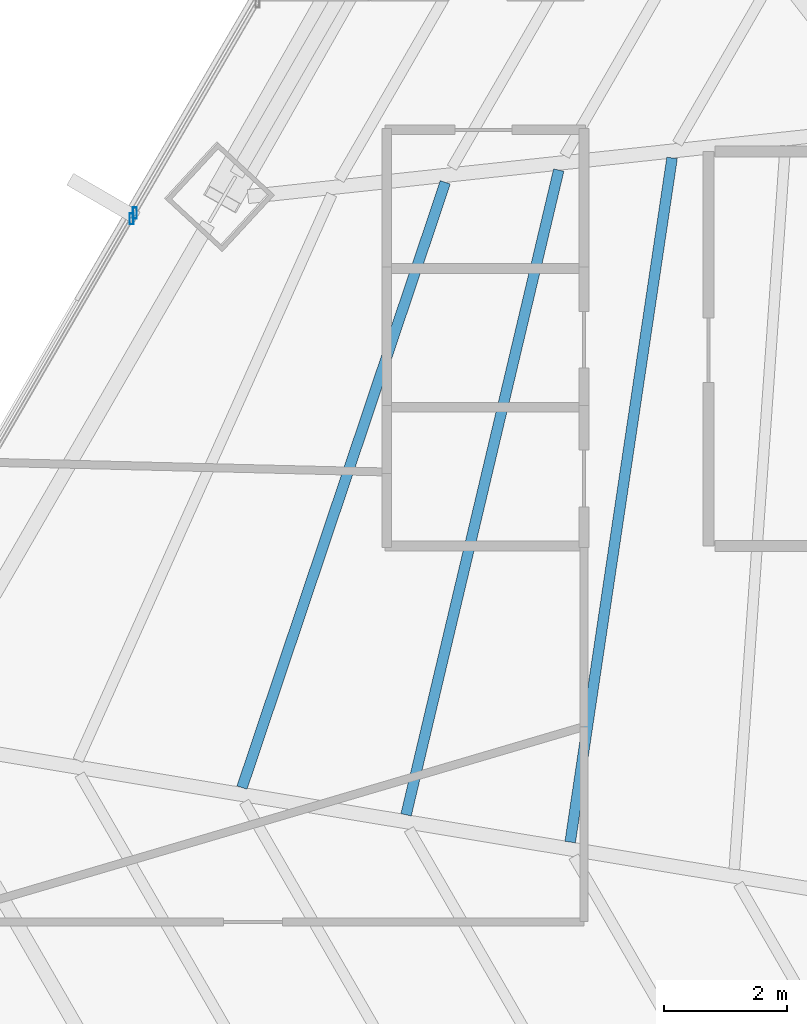
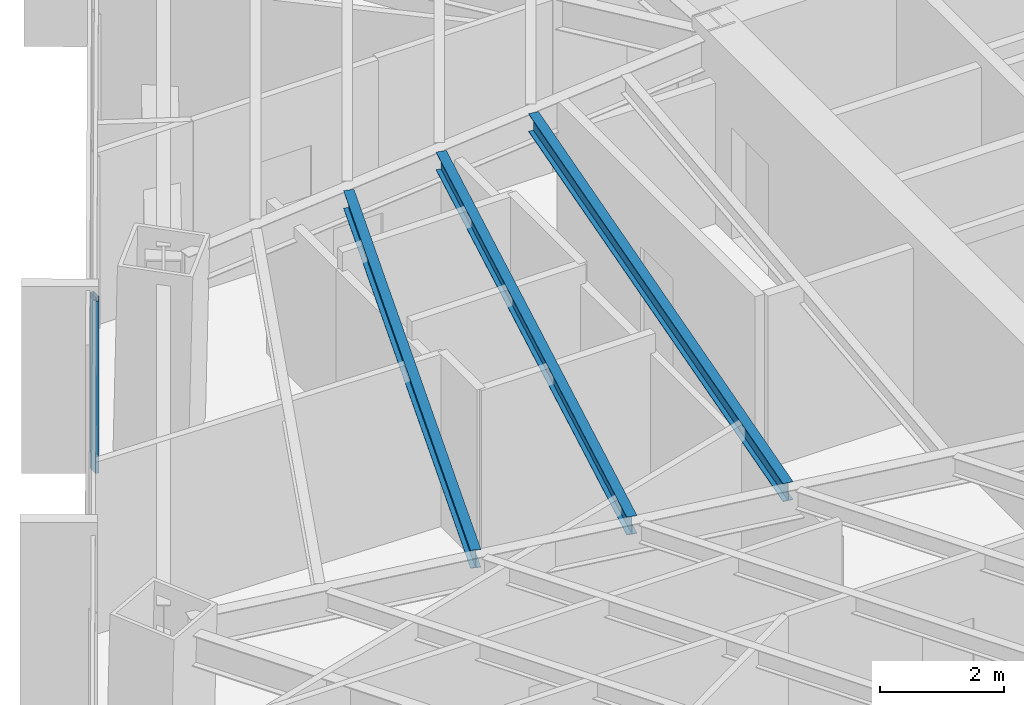
# One storey, part 12 of 36: 3 beams, 2 members, 2 elements without a shape of their own.
"""IFC4 building model written with IfcOpenShell, lengths in metres."""

from ifc_helpers import new_model, si_unit, direction, frame, origin, origin_2d, place, context, subcontext, project, spatial, hollow_rectangle, i_section, extrude, source, transform, mapped, material, material_profile, profile_set, type_object, type_shapes, element, aggregate, save


model = new_model("IFC4")

# Units and contexts
model_context = context("Model", 3, precision=1e-05, world=origin(), true_north=direction((0.0, 1.0)))
body_context = subcontext(model_context, "Body", "Model", "MODEL_VIEW")
ifc_project = project(units=[si_unit("LENGTHUNIT", "METRE"), si_unit("AREAUNIT", "SQUARE_METRE"), si_unit("VOLUMEUNIT", "CUBIC_METRE"), si_unit("PLANEANGLEUNIT", "RADIAN"), si_unit("MASSUNIT", "GRAM", prefix="KILO")], contexts=[model_context])

# Site, building, storey
site_placement = place(None, origin())
site = spatial("IfcSite", under=ifc_project, at=site_placement, CompositionType="ELEMENT")
building_placement = place(site_placement, origin())
building = spatial("IfcBuilding", under=site, at=building_placement, Name="Caelisora Broadcast Tower", CompositionType="ELEMENT")
storey_placement = place(building_placement, frame((0.0, 0.0, 64.10009765625)))
storey = spatial("IfcBuildingStorey", under=building, at=storey_placement, Name="L16", CompositionType="ELEMENT", Elevation=64.10009765625)

# Beams
ifc_material_1 = material(Name="Steel Grade 350 (AS/NZS 3679.1)", Category="steel")
ifc_material_profile_1 = material_profile(ifc_material_1, i_section(OverallWidth=0.172119140625, OverallDepth=0.358642578125, WebThickness=0.008056640625, FlangeThickness=0.012939453125, at=origin_2d()), Name="Steel Grade 350 (AS/NZS 3679.1)")
ifc_profile_set_1 = profile_set([ifc_material_profile_1], Name="Steel Grade 350 (AS/NZS 3679.1)")
beam_type = type_object("IfcBeamType", Name="SB02", PredefinedType="JOIST", material=ifc_profile_set_1)
shared_shape_1 = source(origin(), body_context, "Body", "SweptSolid", [
    extrude(i_section(OverallWidth=0.172119140625, OverallDepth=0.358642578125, WebThickness=0.008056640625, FlangeThickness=0.012939453125, at=origin_2d()), origin(), (0.0, 0.0, 1.0), 11.218994140625),
])
beam_1_placement = place(storey_placement, frame((26.8271484375, 29.493896484375, 3.220703125), z_axis=(-0.147301790975, -0.989091594533, 0.0), x_axis=(0.989091594533, -0.147301790975, 0.0)))
element("IfcBeam", 1, at=beam_1_placement, inside=storey, type_object=beam_type, Name="L16 beam SB02", PredefinedType="JOIST", context=body_context, shape_type="MappedRepresentation", body=[
    mapped(shared_shape_1, transform((0.0, 0.0, 0.0), scale=1.0)),
])
shared_shape_2 = source(origin(), body_context, "Body", "SweptSolid", [
    extrude(i_section(OverallWidth=0.172119140625, OverallDepth=0.358642578125, WebThickness=0.008056640625, FlangeThickness=0.012939453125, at=origin_2d()), origin(), (0.0, 0.0, 1.0), 10.74609375),
])
beam_2_placement = place(storey_placement, frame((24.989013671875, 29.29638671875, 3.220703125), z_axis=(-0.230414301579, -0.9730926213, 0.0), x_axis=(0.9730926213, -0.230414301579, 0.0)))
element("IfcBeam", 2, at=beam_2_placement, inside=storey, type_object=beam_type, Name="L16 beam SB02", PredefinedType="JOIST", context=body_context, shape_type="MappedRepresentation", body=[
    mapped(shared_shape_2, transform((0.0, 0.0, 0.0), scale=1.0)),
])
shared_shape_3 = source(origin(), body_context, "Body", "SweptSolid", [
    extrude(i_section(OverallWidth=0.172119140625, OverallDepth=0.358642578125, WebThickness=0.008056640625, FlangeThickness=0.012939453125, at=origin_2d()), origin(), (0.0, 0.0, 1.0), 10.35595703125),
])
type_shapes(beam_type, [shared_shape_1, shared_shape_2, shared_shape_3])
beam_3_placement = place(storey_placement, frame((23.149169921875, 29.0986328125, 3.220703125), z_axis=(-0.318376970925, -0.9479641894, 0.0), x_axis=(0.9479641894, -0.318376970925, 0.0)))
element("IfcBeam", 3, at=beam_3_placement, inside=storey, type_object=beam_type, Name="L16 beam SB02", PredefinedType="JOIST", context=body_context, shape_type="MappedRepresentation", body=[
    mapped(shared_shape_3, transform((0.0, 0.0, 0.0), scale=1.0)),
])

# Curtain wall, member
ifc_material_2 = material(Name="Unitised Aluminium and Low-E Glass Curtain Wall", Category="glass")
curtain_wall_type_1 = type_object("IfcCurtainWallType", Name="CW-Z1", PredefinedType="NOTDEFINED", material=ifc_material_2)
curtain_wall_1_placement = place(storey_placement, origin())
curtain_wall_1 = element("IfcCurtainWall", 4, at=curtain_wall_1_placement, inside=storey, type_object=curtain_wall_type_1, Name="L16 curtain wall CW-Z1", PredefinedType="NOTDEFINED")
ifc_material_3 = material(Name="Aluminium 6063-T6 Anodised Terracotta Bronze", Category="aluminium")
ifc_material_profile_2 = material_profile(ifc_material_3, hollow_rectangle(XDim=0.06494140625, YDim=0.179931640625, WallThickness=0.00341796875, at=origin_2d()), Name="Aluminium 6063-T6 Anodised Terracotta Bronze")
ifc_profile_set_2 = profile_set([ifc_material_profile_2], Name="Aluminium 6063-T6 Anodised Terracotta Bronze")
member_type = type_object("IfcMemberType", Name="CWM-02", PredefinedType="MULLION", material=ifc_profile_set_2)
shared_shape_4 = source(origin(), body_context, "Body", "SweptSolid", [
    extrude(hollow_rectangle(XDim=0.06494140625, YDim=0.179931640625, WallThickness=0.00341796875, at=origin_2d()), origin(), (0.0, 0.0, 1.0), 3.39990234375),
])
type_shapes(member_type, [shared_shape_4])
member_1_placement = place(storey_placement, frame((18.060302734375, 28.505615234375, 0.0), z_axis=(0.0, 0.0, 1.0), x_axis=(1.0, 0.0, 0.0)))
member_1 = element("IfcMember", 5, at=member_1_placement, type_object=member_type, Name="L16-CW-B09 mullion #3", PredefinedType="MULLION", context=body_context, shape_type="MappedRepresentation", body=[
    mapped(shared_shape_4, transform((0.0, 0.0, 0.0), scale=1.0)),
])
aggregate(curtain_wall_1, [member_1])

ifc_material_4 = material(Name="Unitised Aluminium Insulated Shadow-Box Spandrel Curtain Wall", Category="aluminium")
curtain_wall_type_2 = type_object("IfcCurtainWallType", Name="CW-SP1", PredefinedType="NOTDEFINED", material=ifc_material_4)
curtain_wall_2_placement = place(storey_placement, origin())
curtain_wall_2 = element("IfcCurtainWall", 6, at=curtain_wall_2_placement, inside=storey, type_object=curtain_wall_type_2, Name="L16 curtain wall CW-SP1", PredefinedType="NOTDEFINED")
member_2_placement = place(storey_placement, frame((18.11572265625, 28.6005859375, 0.0), z_axis=(0.0, 0.0, 1.0), x_axis=(1.0, 0.0, 0.0)))
member_2 = element("IfcMember", 7, at=member_2_placement, type_object=member_type, Name="L16-CW-B10 mullion #0", PredefinedType="MULLION", context=body_context, shape_type="MappedRepresentation", body=[
    mapped(shared_shape_4, transform((0.0, 0.0, 0.0), scale=1.0)),
])
aggregate(curtain_wall_2, [member_2])

save(model, "model.ifc")
